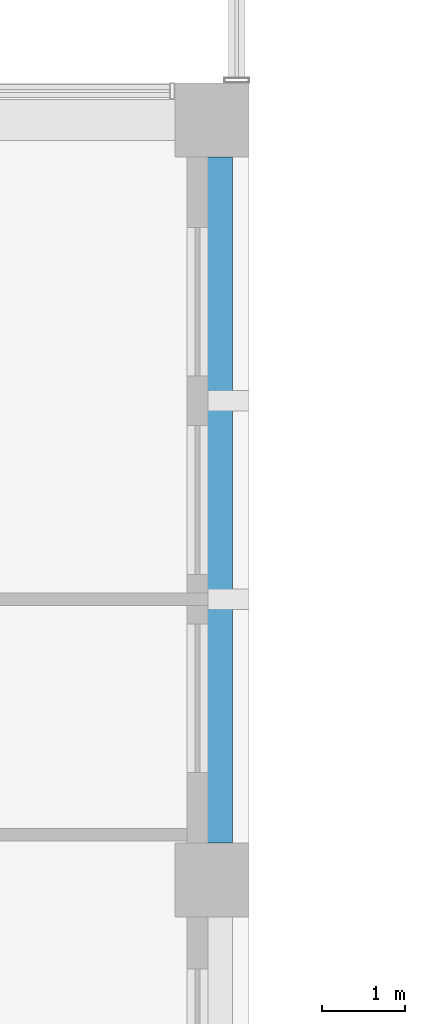
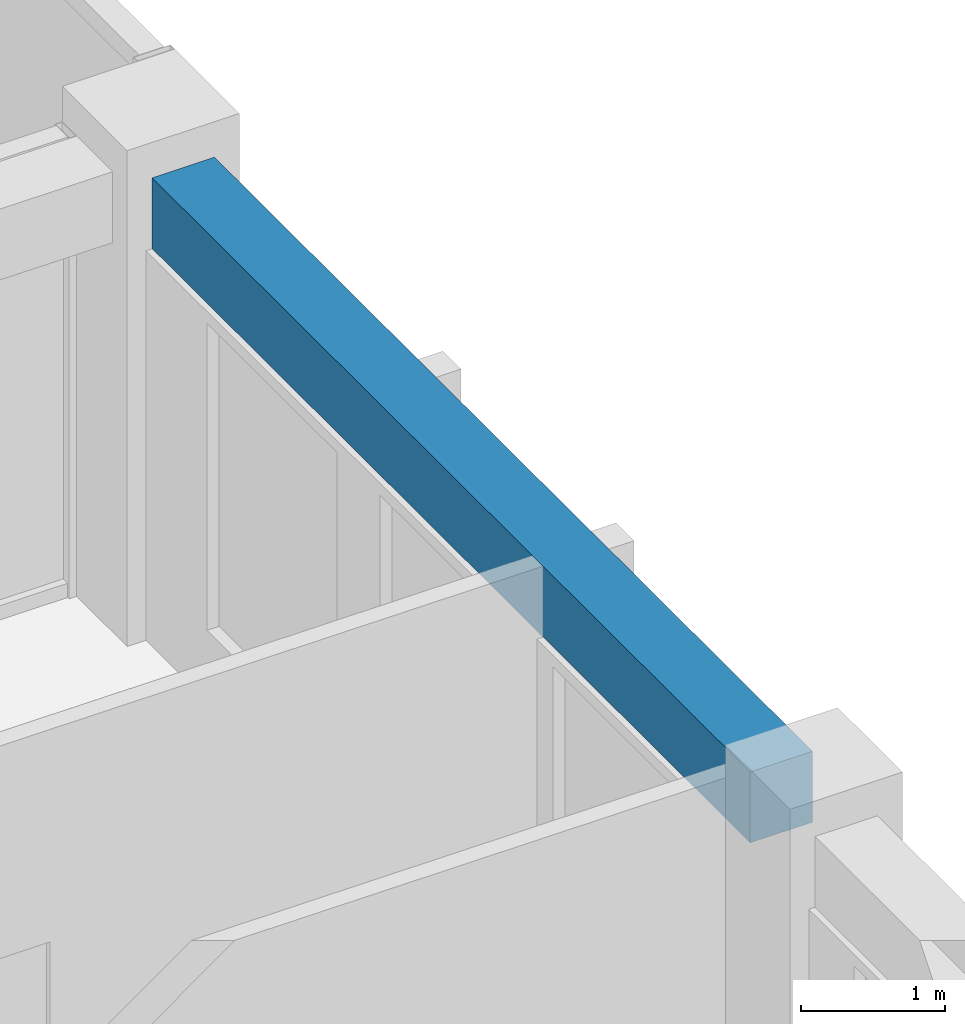
# One storey, part 16 of 38: 1 beam.
"""IFC4 building model written with IfcOpenShell, lengths in metres."""

import ifcopenshell
import ifcopenshell.guid

model = None  # the IFC model being written
_history = None  # IfcOwnerHistory: only IFC2X3 demands one
_inside = {}  # id of a spatial element -> (the spatial element, [elements in it])
_under = {}  # id of a project, library or spatial element -> (it, [spatial elements below it])
_declared = {}  # id of a project -> (the project, [libraries it declares])
_typed = {}  # id of a type object -> (the type object, [elements of that type])
_made_of = {}  # id of a material, layer set ... -> (it, [elements and type objects made of it])


def new_model(schema):
    """Start an empty IFC model of exactly this schema.

    Asked for "IFC4X3", IfcOpenShell would pick the latest addendum, in which some entities
    have other attributes; the version numbers below select the first issue.
    IFC2X3 requires an IfcOwnerHistory on every rooted entity: one is made here for all.
    """
    global model, _history
    if schema == "IFC4X3":
        model = ifcopenshell.file(schema_version=(4, 3, 0, 0))
    else:
        model = ifcopenshell.file(schema=schema)
    _inside.clear()
    _under.clear()
    _declared.clear()
    _typed.clear()
    _made_of.clear()
    _history = None
    if model.schema == "IFC2X3":
        org = make("IfcOrganization", Name="unknown")
        user = make(
            "IfcPersonAndOrganization",
            ThePerson=make("IfcPerson", FamilyName="unknown"),
            TheOrganization=org,
        )
        app = make(
            "IfcApplication",
            ApplicationDeveloper=org,
            Version="unknown",
            ApplicationFullName="unknown",
            ApplicationIdentifier="unknown",
        )
        _history = make(
            "IfcOwnerHistory",
            OwningUser=user,
            OwningApplication=app,
            ChangeAction="ADDED",
            CreationDate=0,
        )
    return model


def make(cls, **values):
    """One entity of the class cls with the attributes given. An attribute that is None is left unset."""
    return model.create_entity(
        cls, **{name: value for name, value in values.items() if value is not None}
    )


def rooted(cls, **values):
    """An entity with a GlobalId (a new one), such as an element, a storey or a relation."""
    return make(cls, GlobalId=ifcopenshell.guid.new(), OwnerHistory=_history, **values)


def si_unit(unit_type, name, prefix=None):
    """IfcSIUnit, for example si_unit("LENGTHUNIT", "METRE", prefix="MILLI")."""
    return make("IfcSIUnit", UnitType=unit_type, Prefix=prefix, Name=name)


def assignment(units):
    """IfcUnitAssignment: the units of a project."""
    return None if units is None else make("IfcUnitAssignment", Units=units)


def point(xyz):
    """IfcCartesianPoint."""
    return None if xyz is None else make("IfcCartesianPoint", Coordinates=xyz)


def direction(xyz):
    """IfcDirection."""
    return None if xyz is None else make("IfcDirection", DirectionRatios=xyz)


def frame(location, z_axis=None, x_axis=None):
    """IfcAxis2Placement3D, a coordinate frame: its origin and axes. An axis left out is left unset."""
    return make(
        "IfcAxis2Placement3D",
        Location=point(location),
        Axis=direction(z_axis),
        RefDirection=direction(x_axis),
    )


def frame_2d(location, x_axis=None):
    """IfcAxis2Placement2D, a coordinate frame in the plane: its origin and x axis."""
    return make(
        "IfcAxis2Placement2D", Location=point(location), RefDirection=direction(x_axis)
    )


def origin():
    """The frame at (0, 0, 0) with its axes left unset."""
    return frame((0.0, 0.0, 0.0))


def origin_2d():
    """The frame at (0, 0) in the plane with its x axis left unset."""
    return frame_2d((0.0, 0.0))


def place(relative_to, where):
    """IfcLocalPlacement: puts the frame where relative to a parent placement (None: the world)."""
    return make(
        "IfcLocalPlacement", PlacementRelTo=relative_to, RelativePlacement=where
    )


def context(
    kind, dimensions, precision=None, world=None, true_north=None, identifier=None
):
    """IfcGeometricRepresentationContext, for example the 3D "Model" context."""
    return make(
        "IfcGeometricRepresentationContext",
        ContextIdentifier=identifier,
        ContextType=kind,
        CoordinateSpaceDimension=dimensions,
        Precision=precision,
        WorldCoordinateSystem=world,
        TrueNorth=true_north,
    )


def subcontext(parent, identifier, kind, view, scale=None):
    """IfcGeometricRepresentationSubContext, for example "Body" below "Model"."""
    return make(
        "IfcGeometricRepresentationSubContext",
        ContextIdentifier=identifier,
        ContextType=kind,
        ParentContext=parent,
        TargetScale=scale,
        TargetView=view,
    )


def project(units=None, contexts=None):
    """IfcProject with its units and contexts."""
    return rooted(
        "IfcProject",
        Name="project",
        RepresentationContexts=contexts,
        UnitsInContext=assignment(units),
    )


def spatial(cls, under=None, at=None, **own):
    """A site, building, storey or space (cls), placed at a placement, below another one or the project."""
    s = rooted(cls, ObjectPlacement=at, **own)
    if under is not None:
        _under.setdefault(under.id(), (under, []))[1].append(s)
    return s


def profile(cls, at=None, kind="AREA", **sizes):
    """A parametric profile (cls). Its sizes go by their IFC names, for example OverallWidth=200.0."""
    return make(cls, ProfileType=kind, Position=at, **sizes)


def rectangle(**sizes):
    """IfcRectangleProfileDef."""
    return profile("IfcRectangleProfileDef", **sizes)


def extrude(swept, where, along, depth):
    """IfcExtrudedAreaSolid: the profile swept, set in the frame where, extruded along a direction by depth."""
    return make(
        "IfcExtrudedAreaSolid",
        SweptArea=swept,
        Position=where,
        ExtrudedDirection=direction(along),
        Depth=depth,
    )


def shape(context_of_items, identifier, shape_type, items):
    """IfcShapeRepresentation: the items that make up one representation, for example the "Body"."""
    return make(
        "IfcShapeRepresentation",
        ContextOfItems=context_of_items,
        RepresentationIdentifier=identifier,
        RepresentationType=shape_type,
        Items=items,
    )


def material(Name=None, Category=None):
    """IfcMaterial."""
    return make("IfcMaterial", Name=Name, Category=Category)


def material_profile(
    of_material, cross_section, Name=None, Category=None, Priority=None
):
    """IfcMaterialProfile: a cross section and its material."""
    return make(
        "IfcMaterialProfile",
        Name=Name,
        Material=of_material,
        Profile=cross_section,
        Priority=Priority,
        Category=Category,
    )


def profile_set(profiles, Name=None, composite=None):
    """IfcMaterialProfileSet."""
    return make(
        "IfcMaterialProfileSet",
        Name=Name,
        MaterialProfiles=profiles,
        CompositeProfile=composite,
    )


def made_of(thing, what):
    """Note that an element or type object is made of a material, layer set ...; save() writes the relation."""
    if what is not None:
        _made_of.setdefault(what.id(), (what, []))[1].append(thing)
    return thing


def type_object(cls, material=None, **own):
    """A type object (cls), such as IfcWallType, which elements share."""
    return made_of(rooted(cls, **own), material)


def element(
    cls,
    number,
    at=None,
    inside=None,
    cuts=None,
    type_object=None,
    material=None,
    context=None,
    identifier="Body",
    shape_type=None,
    held_by="IfcProductDefinitionShape",
    body=None,
    shapes=None,
    **own,
):
    """One element of the class cls, such as IfcWall. Its Tag is "e" and its number.

    at: its placement. inside: the storey or other place that contains it. cuts: it is an
    opening in that element (IfcRelVoidsElement). A single representation is given by context,
    identifier, shape_type and body (its items); several are given by shapes. held_by: the class
    of the entity that holds the representations. save() writes the other relations.
    """
    e = rooted(cls, Tag="e%d" % number, ObjectPlacement=at, **own)
    if body is not None:
        shapes = [shape(context, identifier, shape_type, body)]
    if shapes is not None:
        e.Representation = make(held_by, Representations=shapes)
    if inside is not None:
        _inside.setdefault(inside.id(), (inside, []))[1].append(e)
    if cuts is not None:
        rooted(
            "IfcRelVoidsElement", RelatingBuildingElement=cuts, RelatedOpeningElement=e
        )
    if type_object is not None:
        _typed.setdefault(type_object.id(), (type_object, []))[1].append(e)
    return made_of(e, material)


def aggregate(whole, parts):
    """IfcRelAggregates: a whole, such as a stair, and the parts it consists of."""
    return rooted("IfcRelAggregates", RelatingObject=whole, RelatedObjects=parts)


def save(model, path):
    """Write the relations noted so far, then the file.

    IfcRelAggregates (storeys below a building ...), IfcRelContainedInSpatialStructure (elements
    in a storey), IfcRelDefinesByType, IfcRelAssociatesMaterial and IfcRelDeclares: one each for
    every whole, place, type object, material and project.
    """
    for whole, parts in _under.values():
        aggregate(whole, parts)
    for where, things in _inside.values():
        rooted(
            "IfcRelContainedInSpatialStructure",
            RelatedElements=things,
            RelatingStructure=where,
        )
    for kind, things in _typed.values():
        rooted("IfcRelDefinesByType", RelatedObjects=things, RelatingType=kind)
    for what, things in _made_of.values():
        rooted("IfcRelAssociatesMaterial", RelatedObjects=things, RelatingMaterial=what)
    for by, libraries in _declared.values():
        rooted("IfcRelDeclares", RelatingContext=by, RelatedDefinitions=libraries)
    model.write(path)


model = new_model("IFC4")

# Units and contexts
model_context = context("Model", 3, precision=1e-05, world=origin(), true_north=direction((0.0, 1.0)))
body_context = subcontext(model_context, "Body", "Model", "MODEL_VIEW")
ifc_project = project(units=[si_unit("LENGTHUNIT", "METRE"), si_unit("AREAUNIT", "SQUARE_METRE"), si_unit("VOLUMEUNIT", "CUBIC_METRE"), si_unit("PLANEANGLEUNIT", "RADIAN"), si_unit("MASSUNIT", "GRAM", prefix="KILO")], contexts=[model_context])

# Site, building, storey
site_placement = place(None, origin())
site = spatial("IfcSite", under=ifc_project, at=site_placement, CompositionType="ELEMENT")
building_placement = place(site_placement, origin())
building = spatial("IfcBuilding", under=site, at=building_placement, Name="Nzadi Deep Aquarium and Research Tower", CompositionType="ELEMENT")
storey_placement = place(building_placement, frame((0.0, 0.0, 65.5)))
storey = spatial("IfcBuildingStorey", under=building, at=storey_placement, Name="L13", CompositionType="ELEMENT", Elevation=65.5)

# Beam
ifc_material = material(Name="Concrete C35/45", Category="concrete")
ifc_material_profile = material_profile(ifc_material, rectangle(XDim=0.5, YDim=0.60009765625, at=origin_2d()))
ifc_profile_set = profile_set([ifc_material_profile], Name="Concrete C35/45")
beam_type = type_object("IfcBeamType", Name="RC 500x600", PredefinedType="BEAM", material=ifc_profile_set)
beam_placement = place(storey_placement, frame((48.0, 9.64990234375, 3.60009765625), z_axis=(0.0, 1.0, 0.0), x_axis=(-1.0, 0.0, 0.0)))
element("IfcBeam", 1, at=beam_placement, inside=storey, type_object=beam_type, Name="B-Z1-L13-CF-2-1", PredefinedType="BEAM", context=body_context, shape_type="SweptSolid", body=[
    extrude(rectangle(XDim=0.5, YDim=0.60009765625, at=origin_2d()), origin(), (0.0, 0.0, 1.0), 8.300048828125),
])

save(model, "model.ifc")
